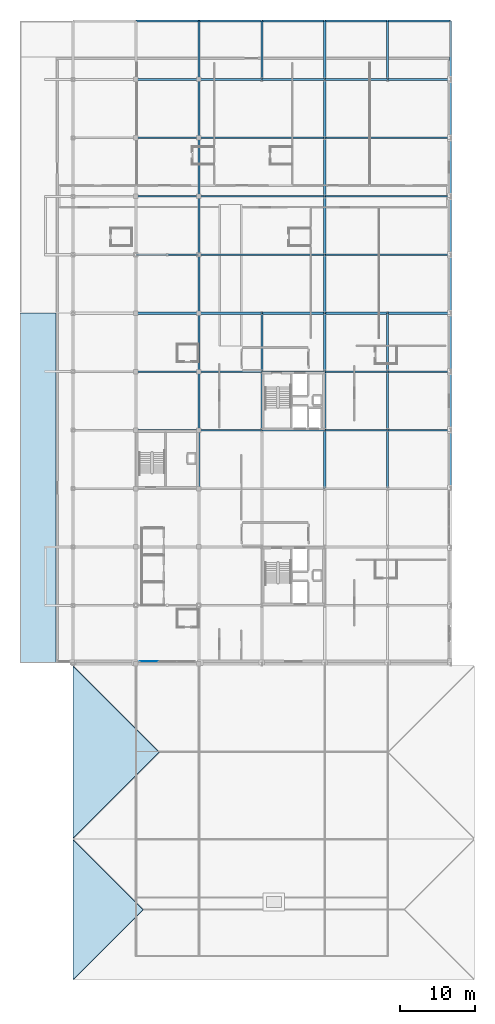
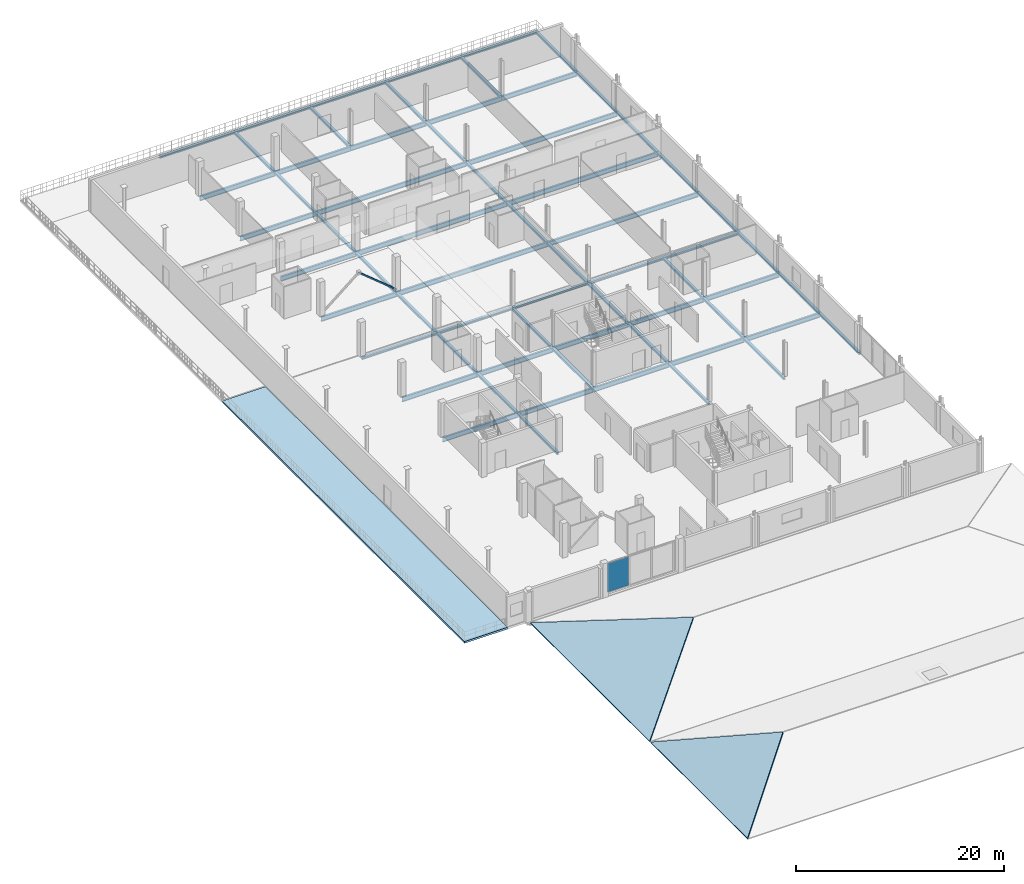
# One storey, part 12 of 25: 65 beams, 3 slabs, 1 member, 1 plate, 1 element without a shape of its own.
"""IFC4 building model written with IfcOpenShell, lengths in metres."""

from ifc_helpers import new_model, si_unit, direction, frame, origin, origin_2d, place, context, subcontext, project, spatial, polyline, rectangle, hollow_rectangle, i_section, outline, extrude, material, layer, layer_set, material_profile, profile_set, type_object, element, aggregate, save


model = new_model("IFC4")

# Units and contexts
model_context = context("Model", 3, precision=1e-05, world=origin(), true_north=direction((0.0, 1.0)))
body_context = subcontext(model_context, "Body", "Model", "MODEL_VIEW")
ifc_project = project(units=[si_unit("LENGTHUNIT", "METRE"), si_unit("AREAUNIT", "SQUARE_METRE"), si_unit("VOLUMEUNIT", "CUBIC_METRE"), si_unit("PLANEANGLEUNIT", "RADIAN"), si_unit("MASSUNIT", "GRAM", prefix="KILO")], contexts=[model_context])

# Site, building, storey
site_placement = place(None, origin())
site = spatial("IfcSite", under=ifc_project, at=site_placement, CompositionType="ELEMENT")
building_placement = place(site_placement, origin())
building = spatial("IfcBuilding", under=site, at=building_placement, Name="Nabrawat Pavilion Hospital", CompositionType="ELEMENT")
storey_placement = place(building_placement, frame((0.0, 0.0, 22.949951171875)))
storey = spatial("IfcBuildingStorey", under=building, at=storey_placement, Name="L05", CompositionType="ELEMENT", Elevation=22.949951171875)

# Beams
ifc_material_1 = material(Name="Steel S355", Category="steel")
ifc_material_profile_1 = material_profile(ifc_material_1, i_section(OverallWidth=0.2099609375, OverallDepth=0.550048828125, WebThickness=0.010986328125, FlangeThickness=0.01708984375, FilletRadius=0.02392578125, at=origin_2d()), Name="IPE 550")
ifc_profile_set_1 = profile_set([ifc_material_profile_1], Name="Steel S355")
beam_type_1 = type_object("IfcBeamType", Name="Long-Span Floor Girder IPE 550", PredefinedType="USERDEFINED", material=ifc_profile_set_1)
beam_1_placement = place(storey_placement, frame((151.219970703125, 70.199951171875, -0.5048828125), z_axis=(1.0, 0.0, 0.0), x_axis=(0.0, 1.0, 0.0)))
element("IfcBeam", 1, at=beam_1_placement, inside=storey, type_object=beam_type_1, Name="L05 Primary X Girder 2009", ObjectType="GIRDER", PredefinedType="USERDEFINED", context=body_context, shape_type="SweptSolid", body=[
    extrude(i_section(OverallWidth=0.2099609375, OverallDepth=0.550048828125, WebThickness=0.010986328125, FlangeThickness=0.01708984375, FilletRadius=0.02392578125, at=origin_2d()), origin(), (0.0, 0.0, 1.0), 8.360107421875),
])
for number, where, z_axis, x_axis, name in (
    (2, (159.6201171875, 70.199951171875, -0.5048828125), (1.0, 0.0, 0.0), (0.0, 1.0, 0.0), "L05 Primary X Girder 2010"),
    (3, (168.02001953125, 70.199951171875, -0.5048828125), (1.0, 0.0, 0.0), (0.0, 1.0, 0.0), "L05 Primary X Girder 2011"),
):
    element("IfcBeam", number, at=place(storey_placement, frame(where, z_axis=z_axis, x_axis=x_axis)), inside=storey, type_object=beam_type_1, Name=name, ObjectType="GIRDER", PredefinedType="USERDEFINED", context=body_context, shape_type="SweptSolid", body=[
        extrude(i_section(OverallWidth=0.2099609375, OverallDepth=0.550048828125, WebThickness=0.010986328125, FlangeThickness=0.01708984375, FilletRadius=0.02392578125, at=origin_2d()), origin(), (0.0, 0.0, 1.0), 8.35986328125),
    ])
beam_2_placement = place(storey_placement, frame((176.419921875, 70.199951171875, -0.5048828125), z_axis=(1.0, 0.0, 0.0), x_axis=(0.0, 1.0, 0.0)))
element("IfcBeam", 4, at=beam_2_placement, inside=storey, type_object=beam_type_1, Name="L05 Primary X Girder 2012", ObjectType="GIRDER", PredefinedType="USERDEFINED", context=body_context, shape_type="SweptSolid", body=[
    extrude(i_section(OverallWidth=0.2099609375, OverallDepth=0.550048828125, WebThickness=0.010986328125, FlangeThickness=0.01708984375, FilletRadius=0.02392578125, at=origin_2d()), origin(), (0.0, 0.0, 1.0), 8.360107421875),
])
beam_3_placement = place(storey_placement, frame((184.820068359375, 70.199951171875, -0.5048828125), z_axis=(1.0, 0.0, 0.0), x_axis=(0.0, 1.0, 0.0)))
element("IfcBeam", 5, at=beam_3_placement, inside=storey, type_object=beam_type_1, Name="L05 Primary X Girder 2013", ObjectType="GIRDER", PredefinedType="USERDEFINED", context=body_context, shape_type="SweptSolid", body=[
    extrude(i_section(OverallWidth=0.2099609375, OverallDepth=0.550048828125, WebThickness=0.010986328125, FlangeThickness=0.01708984375, FilletRadius=0.02392578125, at=origin_2d()), origin(), (0.0, 0.0, 1.0), 8.35986328125),
])
beam_4_placement = place(storey_placement, frame((151.219970703125, 78.0, -0.5048828125), z_axis=(1.0, 0.0, 0.0), x_axis=(0.0, 1.0, 0.0)))
element("IfcBeam", 6, at=beam_4_placement, inside=storey, type_object=beam_type_1, Name="L05 Primary X Girder 2015", ObjectType="GIRDER", PredefinedType="USERDEFINED", context=body_context, shape_type="SweptSolid", body=[
    extrude(i_section(OverallWidth=0.2099609375, OverallDepth=0.550048828125, WebThickness=0.010986328125, FlangeThickness=0.01708984375, FilletRadius=0.02392578125, at=origin_2d()), origin(), (0.0, 0.0, 1.0), 8.360107421875),
])
for number, where, z_axis, x_axis, name in (
    (7, (159.6201171875, 78.0, -0.5048828125), (1.0, 0.0, 0.0), (0.0, 1.0, 0.0), "L05 Primary X Girder 2016"),
    (8, (168.02001953125, 78.0, -0.5048828125), (1.0, 0.0, 0.0), (0.0, 1.0, 0.0), "L05 Primary X Girder 2017"),
):
    element("IfcBeam", number, at=place(storey_placement, frame(where, z_axis=z_axis, x_axis=x_axis)), inside=storey, type_object=beam_type_1, Name=name, ObjectType="GIRDER", PredefinedType="USERDEFINED", context=body_context, shape_type="SweptSolid", body=[
        extrude(i_section(OverallWidth=0.2099609375, OverallDepth=0.550048828125, WebThickness=0.010986328125, FlangeThickness=0.01708984375, FilletRadius=0.02392578125, at=origin_2d()), origin(), (0.0, 0.0, 1.0), 8.35986328125),
    ])
beam_5_placement = place(storey_placement, frame((176.419921875, 78.0, -0.5048828125), z_axis=(1.0, 0.0, 0.0), x_axis=(0.0, 1.0, 0.0)))
element("IfcBeam", 9, at=beam_5_placement, inside=storey, type_object=beam_type_1, Name="L05 Primary X Girder 2018", ObjectType="GIRDER", PredefinedType="USERDEFINED", context=body_context, shape_type="SweptSolid", body=[
    extrude(i_section(OverallWidth=0.2099609375, OverallDepth=0.550048828125, WebThickness=0.010986328125, FlangeThickness=0.01708984375, FilletRadius=0.02392578125, at=origin_2d()), origin(), (0.0, 0.0, 1.0), 8.360107421875),
])
beam_6_placement = place(storey_placement, frame((184.820068359375, 78.0, -0.5048828125), z_axis=(1.0, 0.0, 0.0), x_axis=(0.0, 1.0, 0.0)))
element("IfcBeam", 10, at=beam_6_placement, inside=storey, type_object=beam_type_1, Name="L05 Primary X Girder 2019", ObjectType="GIRDER", PredefinedType="USERDEFINED", context=body_context, shape_type="SweptSolid", body=[
    extrude(i_section(OverallWidth=0.2099609375, OverallDepth=0.550048828125, WebThickness=0.010986328125, FlangeThickness=0.01708984375, FilletRadius=0.02392578125, at=origin_2d()), origin(), (0.0, 0.0, 1.0), 8.35986328125),
])
beam_7_placement = place(storey_placement, frame((151.219970703125, 93.60009765625, -0.5048828125), z_axis=(1.0, 0.0, 0.0), x_axis=(0.0, 1.0, 0.0)))
element("IfcBeam", 11, at=beam_7_placement, inside=storey, type_object=beam_type_1, Name="L05 Primary X Girder 2027", ObjectType="GIRDER", PredefinedType="USERDEFINED", context=body_context, shape_type="SweptSolid", body=[
    extrude(i_section(OverallWidth=0.2099609375, OverallDepth=0.550048828125, WebThickness=0.010986328125, FlangeThickness=0.01708984375, FilletRadius=0.02392578125, at=origin_2d()), origin(), (0.0, 0.0, 1.0), 8.360107421875),
])
beam_8_placement = place(storey_placement, frame((159.6201171875, 93.60009765625, -0.5048828125), z_axis=(1.0, 0.0, 0.0), x_axis=(0.0, 1.0, 0.0)))
element("IfcBeam", 12, at=beam_8_placement, inside=storey, type_object=beam_type_1, Name="L05 Primary X Girder 2028", ObjectType="GIRDER", PredefinedType="USERDEFINED", context=body_context, shape_type="SweptSolid", body=[
    extrude(i_section(OverallWidth=0.2099609375, OverallDepth=0.550048828125, WebThickness=0.010986328125, FlangeThickness=0.01708984375, FilletRadius=0.02392578125, at=origin_2d()), origin(), (0.0, 0.0, 1.0), 16.759765625),
])
beam_9_placement = place(storey_placement, frame((176.419921875, 93.60009765625, -0.5048828125), z_axis=(1.0, 0.0, 0.0), x_axis=(0.0, 1.0, 0.0)))
element("IfcBeam", 13, at=beam_9_placement, inside=storey, type_object=beam_type_1, Name="L05 Primary X Girder 2029", ObjectType="GIRDER", PredefinedType="USERDEFINED", context=body_context, shape_type="SweptSolid", body=[
    extrude(i_section(OverallWidth=0.2099609375, OverallDepth=0.550048828125, WebThickness=0.010986328125, FlangeThickness=0.01708984375, FilletRadius=0.02392578125, at=origin_2d()), origin(), (0.0, 0.0, 1.0), 16.760009765625),
])
beam_10_placement = place(storey_placement, frame((151.219970703125, 101.39990234375, -0.5048828125), z_axis=(1.0, 0.0, 0.0), x_axis=(0.0, 1.0, 0.0)))
element("IfcBeam", 14, at=beam_10_placement, inside=storey, type_object=beam_type_1, Name="L05 Primary X Girder 2031", ObjectType="GIRDER", PredefinedType="USERDEFINED", context=body_context, shape_type="SweptSolid", body=[
    extrude(i_section(OverallWidth=0.2099609375, OverallDepth=0.550048828125, WebThickness=0.010986328125, FlangeThickness=0.01708984375, FilletRadius=0.02392578125, at=origin_2d()), origin(), (0.0, 0.0, 1.0), 8.360107421875),
])
beam_11_placement = place(storey_placement, frame((159.6201171875, 101.39990234375, -0.5048828125), z_axis=(1.0, 0.0, 0.0), x_axis=(0.0, 1.0, 0.0)))
element("IfcBeam", 15, at=beam_11_placement, inside=storey, type_object=beam_type_1, Name="L05 Primary X Girder 2032", ObjectType="GIRDER", PredefinedType="USERDEFINED", context=body_context, shape_type="SweptSolid", body=[
    extrude(i_section(OverallWidth=0.2099609375, OverallDepth=0.550048828125, WebThickness=0.010986328125, FlangeThickness=0.01708984375, FilletRadius=0.02392578125, at=origin_2d()), origin(), (0.0, 0.0, 1.0), 16.759765625),
])
beam_12_placement = place(storey_placement, frame((176.419921875, 101.39990234375, -0.5048828125), z_axis=(1.0, 0.0, 0.0), x_axis=(0.0, 1.0, 0.0)))
element("IfcBeam", 16, at=beam_12_placement, inside=storey, type_object=beam_type_1, Name="L05 Primary X Girder 2033", ObjectType="GIRDER", PredefinedType="USERDEFINED", context=body_context, shape_type="SweptSolid", body=[
    extrude(i_section(OverallWidth=0.2099609375, OverallDepth=0.550048828125, WebThickness=0.010986328125, FlangeThickness=0.01708984375, FilletRadius=0.02392578125, at=origin_2d()), origin(), (0.0, 0.0, 1.0), 16.760009765625),
])
beam_13_placement = place(storey_placement, frame((151.219970703125, 109.199951171875, -0.5048828125), z_axis=(1.0, 0.0, 0.0), x_axis=(0.0, 1.0, 0.0)))
element("IfcBeam", 17, at=beam_13_placement, inside=storey, type_object=beam_type_1, Name="L05 Primary X Girder 2035", ObjectType="GIRDER", PredefinedType="USERDEFINED", context=body_context, shape_type="SweptSolid", body=[
    extrude(i_section(OverallWidth=0.2099609375, OverallDepth=0.550048828125, WebThickness=0.010986328125, FlangeThickness=0.01708984375, FilletRadius=0.02392578125, at=origin_2d()), origin(), (0.0, 0.0, 1.0), 8.360107421875),
])
beam_14_placement = place(storey_placement, frame((159.6201171875, 109.199951171875, -0.5048828125), z_axis=(1.0, 0.0, 0.0), x_axis=(0.0, 1.0, 0.0)))
element("IfcBeam", 18, at=beam_14_placement, inside=storey, type_object=beam_type_1, Name="L05 Primary X Girder 2036", ObjectType="GIRDER", PredefinedType="USERDEFINED", context=body_context, shape_type="SweptSolid", body=[
    extrude(i_section(OverallWidth=0.2099609375, OverallDepth=0.550048828125, WebThickness=0.010986328125, FlangeThickness=0.01708984375, FilletRadius=0.02392578125, at=origin_2d()), origin(), (0.0, 0.0, 1.0), 16.759765625),
])
beam_15_placement = place(storey_placement, frame((176.419921875, 109.199951171875, -0.5048828125), z_axis=(1.0, 0.0, 0.0), x_axis=(0.0, 1.0, 0.0)))
element("IfcBeam", 19, at=beam_15_placement, inside=storey, type_object=beam_type_1, Name="L05 Primary X Girder 2037", ObjectType="GIRDER", PredefinedType="USERDEFINED", context=body_context, shape_type="SweptSolid", body=[
    extrude(i_section(OverallWidth=0.2099609375, OverallDepth=0.550048828125, WebThickness=0.010986328125, FlangeThickness=0.01708984375, FilletRadius=0.02392578125, at=origin_2d()), origin(), (0.0, 0.0, 1.0), 16.760009765625),
])
beam_16_placement = place(storey_placement, frame((151.219970703125, 117.0, -0.5048828125), z_axis=(1.0, 0.0, 0.0), x_axis=(0.0, 1.0, 0.0)))
element("IfcBeam", 20, at=beam_16_placement, inside=storey, type_object=beam_type_1, Name="L05 Primary X Girder 2039", ObjectType="GIRDER", PredefinedType="USERDEFINED", context=body_context, shape_type="SweptSolid", body=[
    extrude(i_section(OverallWidth=0.2099609375, OverallDepth=0.550048828125, WebThickness=0.010986328125, FlangeThickness=0.01708984375, FilletRadius=0.02392578125, at=origin_2d()), origin(), (0.0, 0.0, 1.0), 8.360107421875),
])
for number, where, z_axis, x_axis, name in (
    (21, (159.6201171875, 117.0, -0.5048828125), (1.0, 0.0, 0.0), (0.0, 1.0, 0.0), "L05 Primary X Girder 2040"),
    (22, (168.02001953125, 117.0, -0.5048828125), (1.0, 0.0, 0.0), (0.0, 1.0, 0.0), "L05 Primary X Girder 2041"),
):
    element("IfcBeam", number, at=place(storey_placement, frame(where, z_axis=z_axis, x_axis=x_axis)), inside=storey, type_object=beam_type_1, Name=name, ObjectType="GIRDER", PredefinedType="USERDEFINED", context=body_context, shape_type="SweptSolid", body=[
        extrude(i_section(OverallWidth=0.2099609375, OverallDepth=0.550048828125, WebThickness=0.010986328125, FlangeThickness=0.01708984375, FilletRadius=0.02392578125, at=origin_2d()), origin(), (0.0, 0.0, 1.0), 8.35986328125),
    ])
beam_17_placement = place(storey_placement, frame((176.419921875, 117.0, -0.5048828125), z_axis=(1.0, 0.0, 0.0), x_axis=(0.0, 1.0, 0.0)))
element("IfcBeam", 23, at=beam_17_placement, inside=storey, type_object=beam_type_1, Name="L05 Primary X Girder 2042", ObjectType="GIRDER", PredefinedType="USERDEFINED", context=body_context, shape_type="SweptSolid", body=[
    extrude(i_section(OverallWidth=0.2099609375, OverallDepth=0.550048828125, WebThickness=0.010986328125, FlangeThickness=0.01708984375, FilletRadius=0.02392578125, at=origin_2d()), origin(), (0.0, 0.0, 1.0), 8.360107421875),
])
beam_18_placement = place(storey_placement, frame((184.820068359375, 117.0, -0.5048828125), z_axis=(1.0, 0.0, 0.0), x_axis=(0.0, 1.0, 0.0)))
element("IfcBeam", 24, at=beam_18_placement, inside=storey, type_object=beam_type_1, Name="L05 Primary X Girder 2043", ObjectType="GIRDER", PredefinedType="USERDEFINED", context=body_context, shape_type="SweptSolid", body=[
    extrude(i_section(OverallWidth=0.2099609375, OverallDepth=0.550048828125, WebThickness=0.010986328125, FlangeThickness=0.01708984375, FilletRadius=0.02392578125, at=origin_2d()), origin(), (0.0, 0.0, 1.0), 8.35986328125),
])

# Member
ifc_material_profile_2 = material_profile(ifc_material_1, hollow_rectangle(XDim=0.14990234375, YDim=0.14990234375, WallThickness=0.010009765625, at=origin_2d()), Name="SHS 150x150x10")
ifc_profile_set_2 = profile_set([ifc_material_profile_2], Name="Steel S355")
member_type = type_object("IfcMemberType", Name="Top Ward Chevron Brace SHS 150x150x10", PredefinedType="BRACE", material=ifc_profile_set_2)
member_placement = place(storey_placement, frame((159.60009765625, 93.60009765625, 0.050048828125), z_axis=(-0.772745137627, 0.0, 0.634716434539), x_axis=(0.0, -1.0, 0.0)))
element("IfcMember", 25, at=member_placement, inside=storey, type_object=member_type, Name="L05 Seismic Concentric Chevron Brace 078", PredefinedType="BRACE", context=body_context, shape_type="SweptSolid", body=[
    extrude(hollow_rectangle(XDim=0.14990234375, YDim=0.14990234375, WallThickness=0.010009765625, at=origin_2d()), origin(), (0.0, 0.0, 1.0), 5.435302734375),
])

# Beams
ifc_material_profile_3 = material_profile(ifc_material_1, i_section(OverallWidth=0.280029296875, OverallDepth=0.27001953125, WebThickness=0.008056640625, FlangeThickness=0.012939453125, FilletRadius=0.02392578125, at=origin_2d()), Name="HEA 280")
ifc_profile_set_3 = profile_set([ifc_material_profile_3], Name="Steel S355")
beam_type_2 = type_object("IfcBeamType", Name="Top Ward Floor Beam HEA 280", PredefinedType="BEAM", material=ifc_profile_set_3)
for number, where, z_axis, x_axis, name in (
    (26, (159.60009765625, 62.419921875, -0.364990234375), (0.0, 1.0, 0.0), (-1.0, 0.0, 0.0), "L05 Primary Y Beam 2075"),
    (27, (159.60009765625, 70.219970703125, -0.364990234375), (0.0, 1.0, 0.0), (-1.0, 0.0, 0.0), "L05 Primary Y Beam 2076"),
    (28, (159.60009765625, 78.02001953125, -0.364990234375), (0.0, 1.0, 0.0), (-1.0, 0.0, 0.0), "L05 Primary Y Beam 2077"),
    (29, (159.60009765625, 85.820068359375, -0.364990234375), (0.0, 1.0, 0.0), (-1.0, 0.0, 0.0), "L05 Primary Y Beam 2078"),
):
    element("IfcBeam", number, at=place(storey_placement, frame(where, z_axis=z_axis, x_axis=x_axis)), inside=storey, type_object=beam_type_2, Name=name, PredefinedType="BEAM", context=body_context, shape_type="SweptSolid", body=[
        extrude(i_section(OverallWidth=0.280029296875, OverallDepth=0.27001953125, WebThickness=0.008056640625, FlangeThickness=0.012939453125, FilletRadius=0.02392578125, at=origin_2d()), origin(), (0.0, 0.0, 1.0), 7.760009765625),
    ])
beam_19_placement = place(storey_placement, frame((159.60009765625, 93.6201171875, -0.364990234375), z_axis=(0.0, 1.0, 0.0), x_axis=(-1.0, 0.0, 0.0)))
element("IfcBeam", 30, at=beam_19_placement, inside=storey, type_object=beam_type_2, Name="L05 Primary Y Beam 2079", PredefinedType="BEAM", context=body_context, shape_type="SweptSolid", body=[
    extrude(i_section(OverallWidth=0.280029296875, OverallDepth=0.27001953125, WebThickness=0.008056640625, FlangeThickness=0.012939453125, FilletRadius=0.02392578125, at=origin_2d()), origin(), (0.0, 0.0, 1.0), 7.759765625),
])
for number, where, z_axis, x_axis, name in (
    (31, (159.60009765625, 101.419921875, -0.364990234375), (0.0, 1.0, 0.0), (-1.0, 0.0, 0.0), "L05 Primary Y Beam 2080"),
    (32, (159.60009765625, 109.219970703125, -0.364990234375), (0.0, 1.0, 0.0), (-1.0, 0.0, 0.0), "L05 Primary Y Beam 2081"),
    (33, (168.0, 70.219970703125, -0.364990234375), (0.0, 1.0, 0.0), (-1.0, 0.0, 0.0), "L05 Primary Y Beam 2086"),
    (34, (168.0, 78.02001953125, -0.364990234375), (0.0, 1.0, 0.0), (-1.0, 0.0, 0.0), "L05 Primary Y Beam 2087"),
    (35, (176.39990234375, 62.419921875, -0.364990234375), (0.0, 1.0, 0.0), (-1.0, 0.0, 0.0), "L05 Primary Y Beam 2092"),
    (36, (176.39990234375, 70.219970703125, -0.364990234375), (0.0, 1.0, 0.0), (-1.0, 0.0, 0.0), "L05 Primary Y Beam 2093"),
    (37, (176.39990234375, 78.02001953125, -0.364990234375), (0.0, 1.0, 0.0), (-1.0, 0.0, 0.0), "L05 Primary Y Beam 2094"),
    (38, (176.39990234375, 85.820068359375, -0.364990234375), (0.0, 1.0, 0.0), (-1.0, 0.0, 0.0), "L05 Primary Y Beam 2095"),
):
    element("IfcBeam", number, at=place(storey_placement, frame(where, z_axis=z_axis, x_axis=x_axis)), inside=storey, type_object=beam_type_2, Name=name, PredefinedType="BEAM", context=body_context, shape_type="SweptSolid", body=[
        extrude(i_section(OverallWidth=0.280029296875, OverallDepth=0.27001953125, WebThickness=0.008056640625, FlangeThickness=0.012939453125, FilletRadius=0.02392578125, at=origin_2d()), origin(), (0.0, 0.0, 1.0), 7.760009765625),
    ])
beam_20_placement = place(storey_placement, frame((176.39990234375, 93.6201171875, -0.364990234375), z_axis=(0.0, 1.0, 0.0), x_axis=(-1.0, 0.0, 0.0)))
element("IfcBeam", 39, at=beam_20_placement, inside=storey, type_object=beam_type_2, Name="L05 Primary Y Beam 2096", PredefinedType="BEAM", context=body_context, shape_type="SweptSolid", body=[
    extrude(i_section(OverallWidth=0.280029296875, OverallDepth=0.27001953125, WebThickness=0.008056640625, FlangeThickness=0.012939453125, FilletRadius=0.02392578125, at=origin_2d()), origin(), (0.0, 0.0, 1.0), 7.759765625),
])
for number, where, z_axis, x_axis, name in (
    (40, (176.39990234375, 101.419921875, -0.364990234375), (0.0, 1.0, 0.0), (-1.0, 0.0, 0.0), "L05 Primary Y Beam 2097"),
    (41, (176.39990234375, 109.219970703125, -0.364990234375), (0.0, 1.0, 0.0), (-1.0, 0.0, 0.0), "L05 Primary Y Beam 2098"),
    (42, (184.800048828125, 62.419921875, -0.364990234375), (0.0, 1.0, 0.0), (-1.0, 0.0, 0.0), "L05 Primary Y Beam 2103"),
    (43, (184.800048828125, 70.219970703125, -0.364990234375), (0.0, 1.0, 0.0), (-1.0, 0.0, 0.0), "L05 Primary Y Beam 2104"),
    (44, (184.800048828125, 78.02001953125, -0.364990234375), (0.0, 1.0, 0.0), (-1.0, 0.0, 0.0), "L05 Primary Y Beam 2105"),
):
    element("IfcBeam", number, at=place(storey_placement, frame(where, z_axis=z_axis, x_axis=x_axis)), inside=storey, type_object=beam_type_2, Name=name, PredefinedType="BEAM", context=body_context, shape_type="SweptSolid", body=[
        extrude(i_section(OverallWidth=0.280029296875, OverallDepth=0.27001953125, WebThickness=0.008056640625, FlangeThickness=0.012939453125, FilletRadius=0.02392578125, at=origin_2d()), origin(), (0.0, 0.0, 1.0), 7.760009765625),
    ])
ifc_material_profile_4 = material_profile(ifc_material_1, i_section(OverallWidth=0.280029296875, OverallDepth=0.280029296875, WebThickness=0.010498046875, FlangeThickness=0.01806640625, FilletRadius=0.02392578125, at=origin_2d()), Name="HEB 280")
ifc_profile_set_4 = profile_set([ifc_material_profile_4], Name="Steel S355")
beam_type_3 = type_object("IfcBeamType", Name="Upper Terrace Edge Spandrel HEB 280", PredefinedType="SPANDREL", material=ifc_profile_set_4)
beam_21_placement = place(storey_placement, frame((151.219970703125, 85.800048828125, -0.369873046875), z_axis=(1.0, 0.0, 0.0), x_axis=(0.0, 1.0, 0.0)))
element("IfcBeam", 45, at=beam_21_placement, inside=storey, type_object=beam_type_3, Name="L05 Primary X Girder 2021", PredefinedType="SPANDREL", context=body_context, shape_type="SweptSolid", body=[
    extrude(i_section(OverallWidth=0.280029296875, OverallDepth=0.280029296875, WebThickness=0.010498046875, FlangeThickness=0.01806640625, FilletRadius=0.02392578125, at=origin_2d()), origin(), (0.0, 0.0, 1.0), 8.360107421875),
])
for number, where, z_axis, x_axis, name in (
    (46, (159.6201171875, 85.800048828125, -0.369873046875), (1.0, 0.0, 0.0), (0.0, 1.0, 0.0), "L05 Primary X Girder 2022"),
    (47, (168.02001953125, 85.800048828125, -0.369873046875), (1.0, 0.0, 0.0), (0.0, 1.0, 0.0), "L05 Primary X Girder 2023"),
):
    element("IfcBeam", number, at=place(storey_placement, frame(where, z_axis=z_axis, x_axis=x_axis)), inside=storey, type_object=beam_type_3, Name=name, PredefinedType="SPANDREL", context=body_context, shape_type="SweptSolid", body=[
        extrude(i_section(OverallWidth=0.280029296875, OverallDepth=0.280029296875, WebThickness=0.010498046875, FlangeThickness=0.01806640625, FilletRadius=0.02392578125, at=origin_2d()), origin(), (0.0, 0.0, 1.0), 8.35986328125),
    ])
beam_22_placement = place(storey_placement, frame((176.419921875, 85.800048828125, -0.369873046875), z_axis=(1.0, 0.0, 0.0), x_axis=(0.0, 1.0, 0.0)))
element("IfcBeam", 48, at=beam_22_placement, inside=storey, type_object=beam_type_3, Name="L05 Primary X Girder 2024", PredefinedType="SPANDREL", context=body_context, shape_type="SweptSolid", body=[
    extrude(i_section(OverallWidth=0.280029296875, OverallDepth=0.280029296875, WebThickness=0.010498046875, FlangeThickness=0.01806640625, FilletRadius=0.02392578125, at=origin_2d()), origin(), (0.0, 0.0, 1.0), 8.360107421875),
])
beam_23_placement = place(storey_placement, frame((184.820068359375, 85.800048828125, -0.369873046875), z_axis=(1.0, 0.0, 0.0), x_axis=(0.0, 1.0, 0.0)))
element("IfcBeam", 49, at=beam_23_placement, inside=storey, type_object=beam_type_3, Name="L05 Primary X Girder 2025", PredefinedType="SPANDREL", context=body_context, shape_type="SweptSolid", body=[
    extrude(i_section(OverallWidth=0.280029296875, OverallDepth=0.280029296875, WebThickness=0.010498046875, FlangeThickness=0.01806640625, FilletRadius=0.02392578125, at=origin_2d()), origin(), (0.0, 0.0, 1.0), 8.35986328125),
])
beam_24_placement = place(storey_placement, frame((151.219970703125, 124.800048828125, -0.35986328125), z_axis=(1.0, 0.0, 0.0), x_axis=(0.0, 1.0, 0.0)))
element("IfcBeam", 50, at=beam_24_placement, inside=storey, type_object=beam_type_3, Name="L05 Primary X Girder 2045", PredefinedType="SPANDREL", context=body_context, shape_type="SweptSolid", body=[
    extrude(i_section(OverallWidth=0.280029296875, OverallDepth=0.280029296875, WebThickness=0.010498046875, FlangeThickness=0.01806640625, FilletRadius=0.02392578125, at=origin_2d()), origin(), (0.0, 0.0, 1.0), 8.360107421875),
])
for number, where, z_axis, x_axis, name in (
    (51, (159.6201171875, 124.800048828125, -0.35986328125), (1.0, 0.0, 0.0), (0.0, 1.0, 0.0), "L05 Primary X Girder 2046"),
    (52, (168.02001953125, 124.800048828125, -0.35986328125), (1.0, 0.0, 0.0), (0.0, 1.0, 0.0), "L05 Primary X Girder 2047"),
):
    element("IfcBeam", number, at=place(storey_placement, frame(where, z_axis=z_axis, x_axis=x_axis)), inside=storey, type_object=beam_type_3, Name=name, PredefinedType="SPANDREL", context=body_context, shape_type="SweptSolid", body=[
        extrude(i_section(OverallWidth=0.280029296875, OverallDepth=0.280029296875, WebThickness=0.010498046875, FlangeThickness=0.01806640625, FilletRadius=0.02392578125, at=origin_2d()), origin(), (0.0, 0.0, 1.0), 8.35986328125),
    ])
beam_25_placement = place(storey_placement, frame((176.419921875, 124.800048828125, -0.35986328125), z_axis=(1.0, 0.0, 0.0), x_axis=(0.0, 1.0, 0.0)))
element("IfcBeam", 53, at=beam_25_placement, inside=storey, type_object=beam_type_3, Name="L05 Primary X Girder 2048", PredefinedType="SPANDREL", context=body_context, shape_type="SweptSolid", body=[
    extrude(i_section(OverallWidth=0.280029296875, OverallDepth=0.280029296875, WebThickness=0.010498046875, FlangeThickness=0.01806640625, FilletRadius=0.02392578125, at=origin_2d()), origin(), (0.0, 0.0, 1.0), 8.360107421875),
])
beam_26_placement = place(storey_placement, frame((184.820068359375, 124.800048828125, -0.35986328125), z_axis=(1.0, 0.0, 0.0), x_axis=(0.0, 1.0, 0.0)))
element("IfcBeam", 54, at=beam_26_placement, inside=storey, type_object=beam_type_3, Name="L05 Primary X Girder 2049", PredefinedType="SPANDREL", context=body_context, shape_type="SweptSolid", body=[
    extrude(i_section(OverallWidth=0.280029296875, OverallDepth=0.280029296875, WebThickness=0.010498046875, FlangeThickness=0.01806640625, FilletRadius=0.02392578125, at=origin_2d()), origin(), (0.0, 0.0, 1.0), 8.35986328125),
])
for number, where, z_axis, x_axis, name in (
    (55, (159.60009765625, 117.02001953125, -0.369873046875), (0.0, 1.0, 0.0), (-1.0, 0.0, 0.0), "L05 Primary Y Beam 2082"),
    (56, (168.0, 117.02001953125, -0.369873046875), (0.0, 1.0, 0.0), (-1.0, 0.0, 0.0), "L05 Primary Y Beam 2088"),
    (57, (176.39990234375, 117.02001953125, -0.369873046875), (0.0, 1.0, 0.0), (-1.0, 0.0, 0.0), "L05 Primary Y Beam 2099"),
    (58, (184.800048828125, 117.02001953125, -0.369873046875), (0.0, 1.0, 0.0), (-1.0, 0.0, 0.0), "L05 Primary Y Beam 2106"),
    (59, (193.199951171875, 62.419921875, -0.369873046875), (0.0, 1.0, 0.0), (-1.0, 0.0, 0.0), "L05 Primary Y Beam 2110"),
    (60, (193.199951171875, 70.219970703125, -0.369873046875), (0.0, 1.0, 0.0), (-1.0, 0.0, 0.0), "L05 Primary Y Beam 2111"),
    (61, (193.199951171875, 78.02001953125, -0.369873046875), (0.0, 1.0, 0.0), (-1.0, 0.0, 0.0), "L05 Primary Y Beam 2112"),
    (62, (193.199951171875, 85.820068359375, -0.369873046875), (0.0, 1.0, 0.0), (-1.0, 0.0, 0.0), "L05 Primary Y Beam 2113"),
):
    element("IfcBeam", number, at=place(storey_placement, frame(where, z_axis=z_axis, x_axis=x_axis)), inside=storey, type_object=beam_type_3, Name=name, PredefinedType="SPANDREL", context=body_context, shape_type="SweptSolid", body=[
        extrude(i_section(OverallWidth=0.280029296875, OverallDepth=0.280029296875, WebThickness=0.010498046875, FlangeThickness=0.01806640625, FilletRadius=0.02392578125, at=origin_2d()), origin(), (0.0, 0.0, 1.0), 7.760009765625),
    ])
beam_27_placement = place(storey_placement, frame((193.199951171875, 93.6201171875, -0.369873046875), z_axis=(0.0, 1.0, 0.0), x_axis=(-1.0, 0.0, 0.0)))
element("IfcBeam", 63, at=beam_27_placement, inside=storey, type_object=beam_type_3, Name="L05 Primary Y Beam 2114", PredefinedType="SPANDREL", context=body_context, shape_type="SweptSolid", body=[
    extrude(i_section(OverallWidth=0.280029296875, OverallDepth=0.280029296875, WebThickness=0.010498046875, FlangeThickness=0.01806640625, FilletRadius=0.02392578125, at=origin_2d()), origin(), (0.0, 0.0, 1.0), 7.759765625),
])
for number, where, z_axis, x_axis, name in (
    (64, (193.199951171875, 101.419921875, -0.369873046875), (0.0, 1.0, 0.0), (-1.0, 0.0, 0.0), "L05 Primary Y Beam 2115"),
    (65, (193.199951171875, 109.219970703125, -0.369873046875), (0.0, 1.0, 0.0), (-1.0, 0.0, 0.0), "L05 Primary Y Beam 2116"),
    (66, (193.199951171875, 117.02001953125, -0.369873046875), (0.0, 1.0, 0.0), (-1.0, 0.0, 0.0), "L05 Primary Y Beam 2117"),
):
    element("IfcBeam", number, at=place(storey_placement, frame(where, z_axis=z_axis, x_axis=x_axis)), inside=storey, type_object=beam_type_3, Name=name, PredefinedType="SPANDREL", context=body_context, shape_type="SweptSolid", body=[
        extrude(i_section(OverallWidth=0.280029296875, OverallDepth=0.280029296875, WebThickness=0.010498046875, FlangeThickness=0.01806640625, FilletRadius=0.02392578125, at=origin_2d()), origin(), (0.0, 0.0, 1.0), 7.760009765625),
    ])

# Slab
ifc_material_2 = material(Name="Concrete C35/45", Category="concrete")
ifc_layer_1 = layer(ifc_material_2, 0.219970703125, Name="Concrete C35/45")
ifc_layer_set_1 = layer_set([ifc_layer_1], Name="Concrete C35/45")
slab_type_1 = type_object("IfcSlabType", Name="Exterior Recovery Terrace Slab 220", PredefinedType="FLOOR", material=ifc_layer_set_1)
slab_1_placement = place(storey_placement, frame((0.0, 0.0, -0.219970703125)))
element("IfcSlab", 67, at=slab_1_placement, inside=storey, type_object=slab_type_1, Name="L05 Walkable Clinical Terrace Slab T_L05_WARD_WEST_S", PredefinedType="FLOOR", context=body_context, shape_type="SweptSolid", body=[
    extrude(outline(polyline([(140.52001953125, 39.1201171875), (140.52001953125, 85.800048828125), (135.719970703125, 85.800048828125), (135.719970703125, 39.1201171875), (140.52001953125, 39.1201171875)])), origin(), (0.0, 0.0, 1.0), 0.219970703125),
])

# Curtain wall, plate
ifc_material_3 = material(Name="Anodised Aluminium", Category="aluminium")
curtain_wall_type = type_object("IfcCurtainWallType", Name="Inpatient Dayroom Bay Curtain Wall", PredefinedType="USERDEFINED", material=ifc_material_3)
curtain_wall_placement = place(storey_placement, origin())
curtain_wall = element("IfcCurtainWall", 68, at=curtain_wall_placement, inside=storey, type_object=curtain_wall_type, Name="L05 Inpatient Dayroom Bay Curtain Wall 151", ObjectType="CURTAIN WALL", PredefinedType="USERDEFINED")
ifc_material_4 = material(Name="Double-Glazed Low-E Glass", Category="glass")
ifc_layer_2 = layer(ifc_material_4, 0.02587890625, Name="Double-Glazed Low-E Glass")
ifc_layer_set_2 = layer_set([ifc_layer_2], Name="Double-Glazed Low-E Glass")
plate_type = type_object("IfcPlateType", Name="Inpatient Dayroom Bay Curtain Wall Low-E Solar Panel 26", PredefinedType="CURTAIN_PANEL", material=ifc_layer_set_2)
plate_placement = place(storey_placement, frame((152.92822265625, 39.340087890625, 0.06005859375), z_axis=(0.0, 0.0, 1.0), x_axis=(1.0, 0.0, 0.0)))
plate = element("IfcPlate", 69, at=plate_placement, type_object=plate_type, Name="CW-WRD-01 panel 1.1", PredefinedType="CURTAIN_PANEL", context=body_context, shape_type="SweptSolid", body=[
    extrude(rectangle(XDim=2.396728515625, YDim=0.02587890625, at=origin_2d()), origin(), (0.0, 0.0, 1.0), 3.389892578125),
])
aggregate(curtain_wall, [plate])

# Slabs
ifc_layer_3 = layer(ifc_material_2, 0.179931640625, Name="Concrete C35/45")
ifc_layer_set_3 = layer_set([ifc_layer_3], Name="Concrete C35/45")
slab_type_2 = type_object("IfcSlabType", Name="Pavilion Hipped Roof Deck Slab 180", PredefinedType="ROOF", material=ifc_layer_set_3)
slab_2_placement = place(storey_placement, frame((142.800048828125, 15.54150390625, 0.0), z_axis=(-0.357649078045, 0.0, 0.933856057952), x_axis=(0.0, -1.0, 0.0)))
element("IfcSlab", 70, at=slab_2_placement, inside=storey, type_object=slab_type_2, Name="Outpatient South Pavilion West Hipped Roof Facet", PredefinedType="ROOF", context=body_context, shape_type="SweptSolid", body=[
    extrude(outline(polyline([(0.0, 0.0), (18.68310546875, 0.0), (9.341552734375, 10.003204085714604), (0.0, 0.0)])), origin(), (0.0, 0.0, -1.0), 0.179931640625),
])
slab_3_placement = place(storey_placement, frame((142.800048828125, 38.702392578125, 0.0), z_axis=(-0.297571094176, 0.0, 0.954699661627), x_axis=(0.0, -1.0, 0.0)))
element("IfcSlab", 71, at=slab_3_placement, inside=storey, type_object=slab_type_2, Name="Outpatient North Pavilion West Hipped Roof Facet", PredefinedType="ROOF", context=body_context, shape_type="SweptSolid", body=[
    extrude(outline(polyline([(0.0, 0.0), (23.0048828125, 0.0), (11.50244140625, 12.048230316375419), (0.0, 0.0)])), origin(), (0.0, 0.0, -1.0), 0.179931640625),
])

save(model, "model.ifc")
